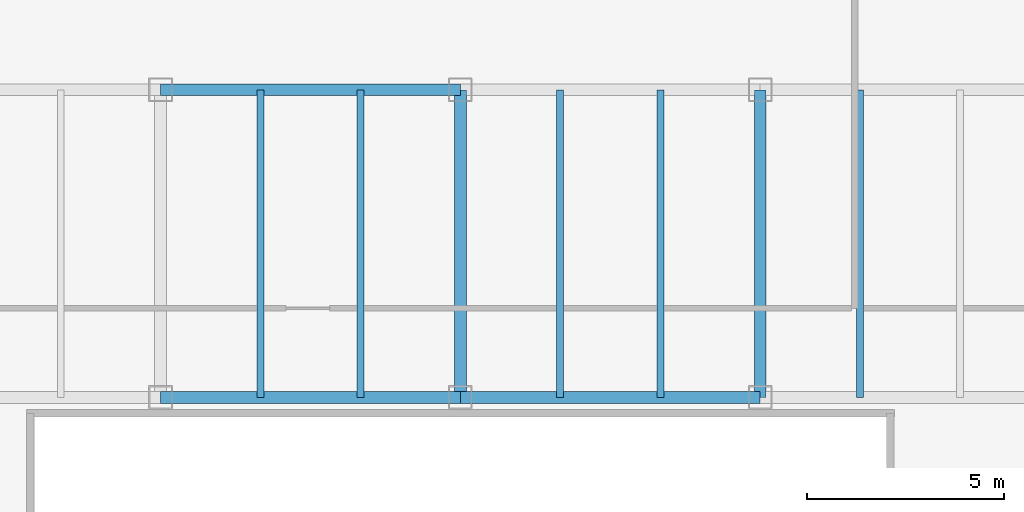
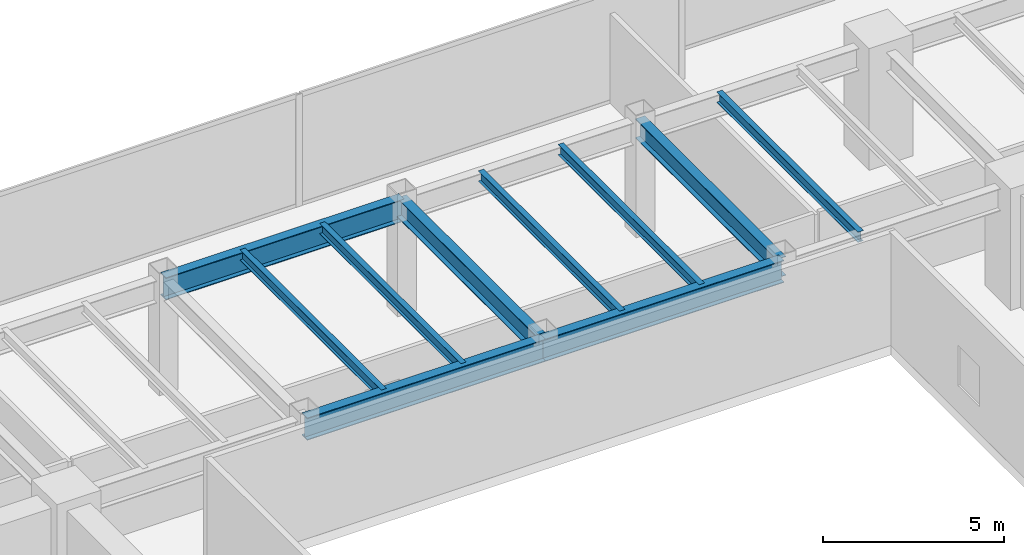
# One storey, part 17 of 35: 10 beams.
"""IFC4 building model written with IfcOpenShell, lengths in metres."""

from ifc_helpers import new_model, si_unit, direction, frame, origin, origin_2d, place, context, subcontext, project, spatial, i_section, extrude, source, transform, mapped, material, material_profile, profile_set, type_object, type_shapes, element, save


model = new_model("IFC4")

# Units and contexts
model_context = context("Model", 3, precision=1e-05, world=origin(), true_north=direction((0.0, 1.0)))
body_context = subcontext(model_context, "Body", "Model", "MODEL_VIEW")
ifc_project = project(units=[si_unit("LENGTHUNIT", "METRE"), si_unit("AREAUNIT", "SQUARE_METRE"), si_unit("VOLUMEUNIT", "CUBIC_METRE"), si_unit("PLANEANGLEUNIT", "RADIAN"), si_unit("MASSUNIT", "GRAM", prefix="KILO")], contexts=[model_context])

# Site, building, storey
site_placement = place(None, origin())
site = spatial("IfcSite", under=ifc_project, at=site_placement, CompositionType="ELEMENT")
building_placement = place(site_placement, origin())
building = spatial("IfcBuilding", under=site, at=building_placement, Name="Haelvirn Gate Laboratories", CompositionType="ELEMENT")
storey_placement = place(building_placement, frame((0.0, 0.0, 86.699951171875)))
storey = spatial("IfcBuildingStorey", under=building, at=storey_placement, Name="L21", CompositionType="ELEMENT", Elevation=86.699951171875)

# Beams
ifc_material = material(Name="Steel SM355", Category="steel")
ifc_material_profile_1 = material_profile(ifc_material, i_section(OverallWidth=0.300048828125, OverallDepth=0.75, WebThickness=0.013916015625, FlangeThickness=0.02392578125, at=origin_2d()), Name="H-750x300x14x24")
ifc_profile_set_1 = profile_set([ifc_material_profile_1], Name="Steel SM355")
beam_type_1 = type_object("IfcBeamType", Name="BM-G-750", PredefinedType="BEAM", material=ifc_profile_set_1)
shared_shape_1 = source(origin(), body_context, "Body", "SweptSolid", [
    extrude(i_section(OverallWidth=0.300048828125, OverallDepth=0.75, WebThickness=0.013916015625, FlangeThickness=0.02392578125, at=origin_2d()), origin(), (0.0, 0.0, 1.0), 7.60009765625),
])
beam_placement = place(storey_placement, frame((37.39990234375, 33.800048828125, 3.405029296875), z_axis=(1.0, 0.0, 0.0), x_axis=(0.0, 1.0, 0.0)))
element("IfcBeam", 1, at=beam_placement, inside=storey, type_object=beam_type_1, Name="L21 Primary Girder Y33.8 (37.4-45.0)", PredefinedType="BEAM", context=body_context, shape_type="MappedRepresentation", body=[
    mapped(shared_shape_1, transform((0.0, 0.0, 0.0), scale=1.0)),
])
shared_shape_2 = source(origin(), body_context, "Body", "SweptSolid", [
    extrude(i_section(OverallWidth=0.300048828125, OverallDepth=0.75, WebThickness=0.013916015625, FlangeThickness=0.02392578125, at=origin_2d()), origin(), (0.0, 0.0, 1.0), 7.599853515625),
])
type_shapes(beam_type_1, [shared_shape_1, shared_shape_2])
for number, where, z_axis, x_axis, name in (
    (2, (29.800048828125, 33.800048828125, 3.405029296875), (1.0, 0.0, 0.0), (0.0, 1.0, 0.0), "L21 Primary Girder Y33.8 (29.8-37.4)"),
    (3, (29.800048828125, 41.60009765625, 3.405029296875), (1.0, 0.0, 0.0), (0.0, 1.0, 0.0), "L21 Primary Girder Y41.6 (29.8-37.4)"),
):
    element("IfcBeam", number, at=place(storey_placement, frame(where, z_axis=z_axis, x_axis=x_axis)), inside=storey, type_object=beam_type_1, Name=name, PredefinedType="BEAM", context=body_context, shape_type="MappedRepresentation", body=[
        mapped(shared_shape_2, transform((0.0, 0.0, 0.0), scale=1.0)),
    ])
ifc_material_profile_2 = material_profile(ifc_material, i_section(OverallWidth=0.175048828125, OverallDepth=0.35009765625, WebThickness=0.007080078125, FlangeThickness=0.010986328125, at=origin_2d()), Name="H-350x175x7x11")
ifc_profile_set_2 = profile_set([ifc_material_profile_2], Name="Steel SM355")
beam_type_2 = type_object("IfcBeamType", Name="BM-J-350", PredefinedType="JOIST", material=ifc_profile_set_2)
shared_shape_3 = source(origin(), body_context, "Body", "SweptSolid", [
    extrude(i_section(OverallWidth=0.175048828125, OverallDepth=0.35009765625, WebThickness=0.007080078125, FlangeThickness=0.010986328125, at=origin_2d()), origin(), (0.0, 0.0, 1.0), 7.800048828125),
])
type_shapes(beam_type_2, [shared_shape_3])
for number, where, z_axis, x_axis, name in (
    (4, (32.330078125, 33.800048828125, 3.60498046875), (0.0, 1.0, 0.0), (-1.0, 0.0, 0.0), "L21 Composite Lab Joist North X32.33"),
    (5, (34.8701171875, 33.800048828125, 3.60498046875), (0.0, 1.0, 0.0), (-1.0, 0.0, 0.0), "L21 Composite Lab Joist North X34.87"),
    (6, (39.929931640625, 33.800048828125, 3.60498046875), (0.0, 1.0, 0.0), (-1.0, 0.0, 0.0), "L21 Composite Lab Joist North X39.93"),
    (7, (42.469970703125, 33.800048828125, 3.60498046875), (0.0, 1.0, 0.0), (-1.0, 0.0, 0.0), "L21 Composite Lab Joist North X42.47"),
    (8, (47.530029296875, 33.800048828125, 3.60498046875), (0.0, 1.0, 0.0), (-1.0, 0.0, 0.0), "L21 Composite Lab Joist North X47.53"),
):
    element("IfcBeam", number, at=place(storey_placement, frame(where, z_axis=z_axis, x_axis=x_axis)), inside=storey, type_object=beam_type_2, Name=name, PredefinedType="JOIST", context=body_context, shape_type="MappedRepresentation", body=[
        mapped(shared_shape_3, transform((0.0, 0.0, 0.0), scale=1.0)),
    ])
ifc_material_profile_3 = material_profile(ifc_material, i_section(OverallWidth=0.300048828125, OverallDepth=0.64990234375, WebThickness=0.012939453125, FlangeThickness=0.02197265625, at=origin_2d()), Name="H-650x300x13x22")
ifc_profile_set_3 = profile_set([ifc_material_profile_3], Name="Steel SM355")
beam_type_3 = type_object("IfcBeamType", Name="BM-G-650", PredefinedType="BEAM", material=ifc_profile_set_3)
shared_shape_4 = source(origin(), body_context, "Body", "SweptSolid", [
    extrude(i_section(OverallWidth=0.300048828125, OverallDepth=0.64990234375, WebThickness=0.012939453125, FlangeThickness=0.02197265625, at=origin_2d()), origin(), (0.0, 0.0, 1.0), 7.800048828125),
])
type_shapes(beam_type_3, [shared_shape_4])
for number, where, z_axis, x_axis, name in (
    (9, (37.39990234375, 33.800048828125, 3.455078125), (0.0, 1.0, 0.0), (-1.0, 0.0, 0.0), "L21 Frame Girder X37.4 (33.8-41.6)"),
    (10, (45.0, 33.800048828125, 3.455078125), (0.0, 1.0, 0.0), (-1.0, 0.0, 0.0), "L21 Frame Girder X45.0 (33.8-41.6)"),
):
    element("IfcBeam", number, at=place(storey_placement, frame(where, z_axis=z_axis, x_axis=x_axis)), inside=storey, type_object=beam_type_3, Name=name, PredefinedType="BEAM", context=body_context, shape_type="MappedRepresentation", body=[
        mapped(shared_shape_4, transform((0.0, 0.0, 0.0), scale=1.0)),
    ])

save(model, "model.ifc")
